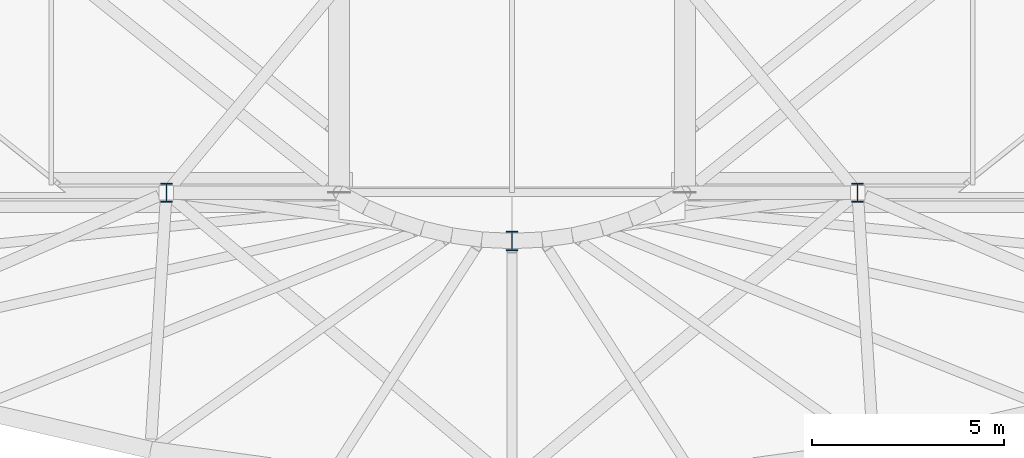
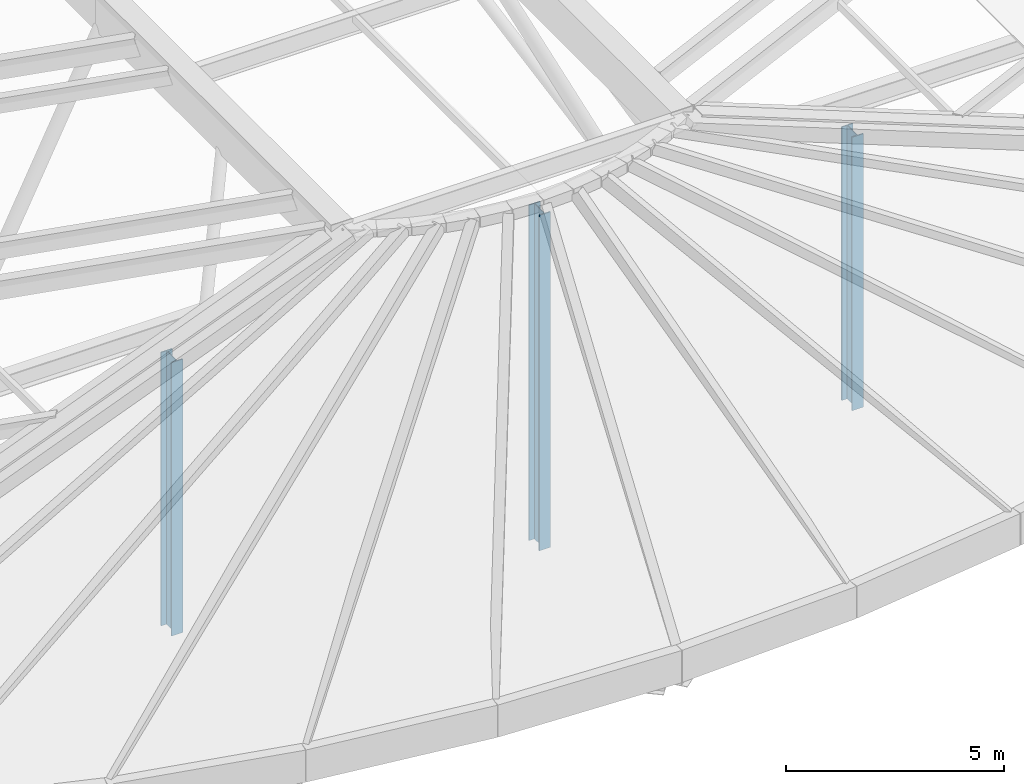
# One storey, part 1 of 110: 3 columns.
"""IFC4 building model written with IfcOpenShell, lengths in metres."""

from ifc_helpers import new_model, si_unit, direction, frame, origin, origin_2d, place, context, subcontext, project, spatial, i_section, extrude, material, material_profile, profile_set, type_object, element, save


model = new_model("IFC4")

# Units and contexts
model_context = context("Model", 3, precision=1e-05, world=origin(), true_north=direction((0.0, 1.0)))
body_context = subcontext(model_context, "Body", "Model", "MODEL_VIEW")
ifc_project = project(units=[si_unit("LENGTHUNIT", "METRE"), si_unit("AREAUNIT", "SQUARE_METRE"), si_unit("VOLUMEUNIT", "CUBIC_METRE"), si_unit("PLANEANGLEUNIT", "RADIAN"), si_unit("MASSUNIT", "GRAM", prefix="KILO")], contexts=[model_context])

# Site, building, storey
site_placement = place(None, origin())
site = spatial("IfcSite", under=ifc_project, at=site_placement, CompositionType="ELEMENT")
building_placement = place(site_placement, origin())
building = spatial("IfcBuilding", under=site, at=building_placement, Name="Tamarisk Ironworks Central Station", CompositionType="ELEMENT")
storey_placement = place(building_placement, frame((0.0, 0.0, 17.39990234375)))
storey = spatial("IfcBuildingStorey", under=building, at=storey_placement, Name="L03", CompositionType="ELEMENT", Elevation=17.39990234375)

# Columns
ifc_material = material(Name="Structural steel S355J2", Category="steel")
ifc_material_profile = material_profile(ifc_material, i_section(OverallWidth=0.300048828125, OverallDepth=0.5, WebThickness=0.014404296875, FlangeThickness=0.028076171875, at=origin_2d()), Name="HEB 500")
ifc_profile_set = profile_set([ifc_material_profile], Name="Structural steel S355J2")
column_type = type_object("IfcColumnType", Name="COL-S07", PredefinedType="COLUMN", material=ifc_profile_set)
for number, where, z_axis, x_axis, name in (
    (1, (72.0, 10.800048828125, -1.599853515625), (0.0, 0.0, 1.0), (1.0, 0.0, 0.0), "L03 column V2-09B"),
    (2, (90.0, 10.800048828125, -1.599853515625), (0.0, 0.0, 1.0), (1.0, 0.0, 0.0), "L03 column V2-12B"),
):
    element("IfcColumn", number, at=place(storey_placement, frame(where, z_axis=z_axis, x_axis=x_axis)), inside=storey, type_object=column_type, Name=name, PredefinedType="COLUMN", context=body_context, shape_type="SweptSolid", body=[
        extrude(i_section(OverallWidth=0.300048828125, OverallDepth=0.5, WebThickness=0.014404296875, FlangeThickness=0.028076171875, at=origin_2d()), origin(), (0.0, 0.0, 1.0), 7.64990234375),
    ])
column_placement = place(storey_placement, frame((81.0, 9.5400390625, -1.599853515625), z_axis=(0.0, 0.0, 1.0), x_axis=(1.0, 0.0, 0.0)))
element("IfcColumn", 3, at=column_placement, inside=storey, type_object=column_type, Name="L03 column V2-SAC", PredefinedType="COLUMN", context=body_context, shape_type="SweptSolid", body=[
    extrude(i_section(OverallWidth=0.300048828125, OverallDepth=0.5, WebThickness=0.014404296875, FlangeThickness=0.028076171875, at=origin_2d()), origin(), (0.0, 0.0, 1.0), 9.3798828125),
])

save(model, "model.ifc")
